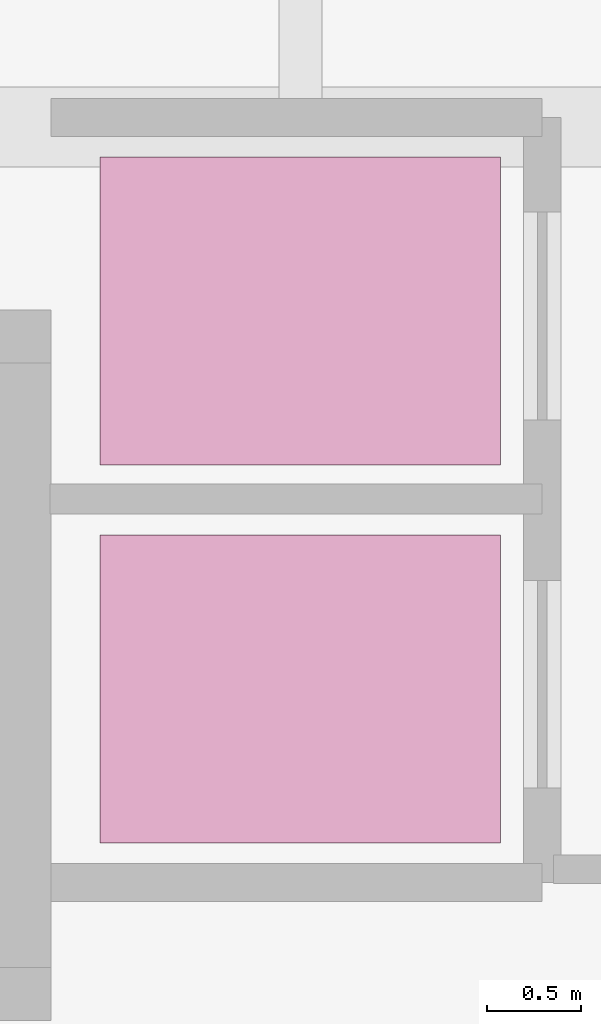
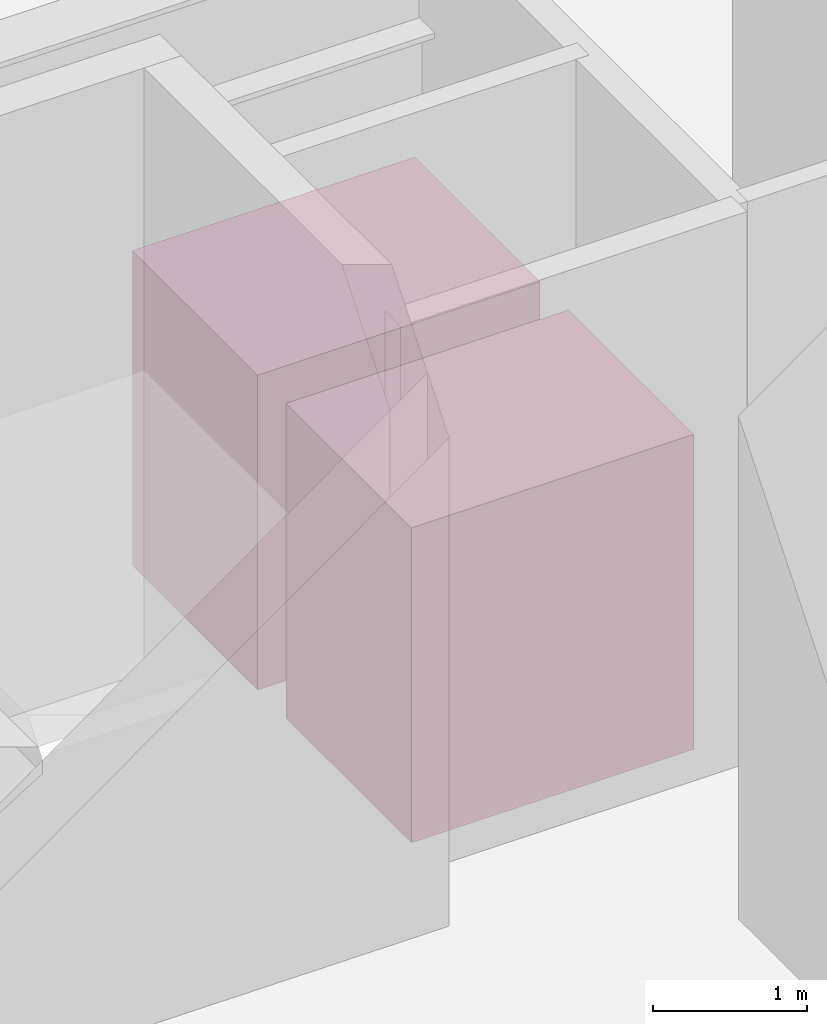
# One storey, part 9 of 9: 2 transport elements.
"""IFC4 building model written with IfcOpenShell, lengths in metres."""

import ifcopenshell
import ifcopenshell.guid

model = None  # the IFC model being written
_history = None  # IfcOwnerHistory: only IFC2X3 demands one
_inside = {}  # id of a spatial element -> (the spatial element, [elements in it])
_under = {}  # id of a project, library or spatial element -> (it, [spatial elements below it])
_declared = {}  # id of a project -> (the project, [libraries it declares])
_typed = {}  # id of a type object -> (the type object, [elements of that type])
_made_of = {}  # id of a material, layer set ... -> (it, [elements and type objects made of it])


def new_model(schema):
    """Start an empty IFC model of exactly this schema.

    Asked for "IFC4X3", IfcOpenShell would pick the latest addendum, in which some entities
    have other attributes; the version numbers below select the first issue.
    IFC2X3 requires an IfcOwnerHistory on every rooted entity: one is made here for all.
    """
    global model, _history
    if schema == "IFC4X3":
        model = ifcopenshell.file(schema_version=(4, 3, 0, 0))
    else:
        model = ifcopenshell.file(schema=schema)
    _inside.clear()
    _under.clear()
    _declared.clear()
    _typed.clear()
    _made_of.clear()
    _history = None
    if model.schema == "IFC2X3":
        org = make("IfcOrganization", Name="unknown")
        user = make(
            "IfcPersonAndOrganization",
            ThePerson=make("IfcPerson", FamilyName="unknown"),
            TheOrganization=org,
        )
        app = make(
            "IfcApplication",
            ApplicationDeveloper=org,
            Version="unknown",
            ApplicationFullName="unknown",
            ApplicationIdentifier="unknown",
        )
        _history = make(
            "IfcOwnerHistory",
            OwningUser=user,
            OwningApplication=app,
            ChangeAction="ADDED",
            CreationDate=0,
        )
    return model


def make(cls, **values):
    """One entity of the class cls with the attributes given. An attribute that is None is left unset."""
    return model.create_entity(
        cls, **{name: value for name, value in values.items() if value is not None}
    )


def rooted(cls, **values):
    """An entity with a GlobalId (a new one), such as an element, a storey or a relation."""
    return make(cls, GlobalId=ifcopenshell.guid.new(), OwnerHistory=_history, **values)


def si_unit(unit_type, name, prefix=None):
    """IfcSIUnit, for example si_unit("LENGTHUNIT", "METRE", prefix="MILLI")."""
    return make("IfcSIUnit", UnitType=unit_type, Prefix=prefix, Name=name)


def assignment(units):
    """IfcUnitAssignment: the units of a project."""
    return None if units is None else make("IfcUnitAssignment", Units=units)


def point(xyz):
    """IfcCartesianPoint."""
    return None if xyz is None else make("IfcCartesianPoint", Coordinates=xyz)


def direction(xyz):
    """IfcDirection."""
    return None if xyz is None else make("IfcDirection", DirectionRatios=xyz)


def frame(location, z_axis=None, x_axis=None):
    """IfcAxis2Placement3D, a coordinate frame: its origin and axes. An axis left out is left unset."""
    return make(
        "IfcAxis2Placement3D",
        Location=point(location),
        Axis=direction(z_axis),
        RefDirection=direction(x_axis),
    )


def frame_2d(location, x_axis=None):
    """IfcAxis2Placement2D, a coordinate frame in the plane: its origin and x axis."""
    return make(
        "IfcAxis2Placement2D", Location=point(location), RefDirection=direction(x_axis)
    )


def origin():
    """The frame at (0, 0, 0) with its axes left unset."""
    return frame((0.0, 0.0, 0.0))


def origin_2d():
    """The frame at (0, 0) in the plane with its x axis left unset."""
    return frame_2d((0.0, 0.0))


def place(relative_to, where):
    """IfcLocalPlacement: puts the frame where relative to a parent placement (None: the world)."""
    return make(
        "IfcLocalPlacement", PlacementRelTo=relative_to, RelativePlacement=where
    )


def context(
    kind, dimensions, precision=None, world=None, true_north=None, identifier=None
):
    """IfcGeometricRepresentationContext, for example the 3D "Model" context."""
    return make(
        "IfcGeometricRepresentationContext",
        ContextIdentifier=identifier,
        ContextType=kind,
        CoordinateSpaceDimension=dimensions,
        Precision=precision,
        WorldCoordinateSystem=world,
        TrueNorth=true_north,
    )


def subcontext(parent, identifier, kind, view, scale=None):
    """IfcGeometricRepresentationSubContext, for example "Body" below "Model"."""
    return make(
        "IfcGeometricRepresentationSubContext",
        ContextIdentifier=identifier,
        ContextType=kind,
        ParentContext=parent,
        TargetScale=scale,
        TargetView=view,
    )


def project(units=None, contexts=None):
    """IfcProject with its units and contexts."""
    return rooted(
        "IfcProject",
        Name="project",
        RepresentationContexts=contexts,
        UnitsInContext=assignment(units),
    )


def spatial(cls, under=None, at=None, **own):
    """A site, building, storey or space (cls), placed at a placement, below another one or the project."""
    s = rooted(cls, ObjectPlacement=at, **own)
    if under is not None:
        _under.setdefault(under.id(), (under, []))[1].append(s)
    return s


def profile(cls, at=None, kind="AREA", **sizes):
    """A parametric profile (cls). Its sizes go by their IFC names, for example OverallWidth=200.0."""
    return make(cls, ProfileType=kind, Position=at, **sizes)


def rectangle(**sizes):
    """IfcRectangleProfileDef."""
    return profile("IfcRectangleProfileDef", **sizes)


def extrude(swept, where, along, depth):
    """IfcExtrudedAreaSolid: the profile swept, set in the frame where, extruded along a direction by depth."""
    return make(
        "IfcExtrudedAreaSolid",
        SweptArea=swept,
        Position=where,
        ExtrudedDirection=direction(along),
        Depth=depth,
    )


def shape(context_of_items, identifier, shape_type, items):
    """IfcShapeRepresentation: the items that make up one representation, for example the "Body"."""
    return make(
        "IfcShapeRepresentation",
        ContextOfItems=context_of_items,
        RepresentationIdentifier=identifier,
        RepresentationType=shape_type,
        Items=items,
    )


def material(Name=None, Category=None):
    """IfcMaterial."""
    return make("IfcMaterial", Name=Name, Category=Category)


def made_of(thing, what):
    """Note that an element or type object is made of a material, layer set ...; save() writes the relation."""
    if what is not None:
        _made_of.setdefault(what.id(), (what, []))[1].append(thing)
    return thing


def type_object(cls, material=None, **own):
    """A type object (cls), such as IfcWallType, which elements share."""
    return made_of(rooted(cls, **own), material)


def element(
    cls,
    number,
    at=None,
    inside=None,
    cuts=None,
    type_object=None,
    material=None,
    context=None,
    identifier="Body",
    shape_type=None,
    held_by="IfcProductDefinitionShape",
    body=None,
    shapes=None,
    **own,
):
    """One element of the class cls, such as IfcWall. Its Tag is "e" and its number.

    at: its placement. inside: the storey or other place that contains it. cuts: it is an
    opening in that element (IfcRelVoidsElement). A single representation is given by context,
    identifier, shape_type and body (its items); several are given by shapes. held_by: the class
    of the entity that holds the representations. save() writes the other relations.
    """
    e = rooted(cls, Tag="e%d" % number, ObjectPlacement=at, **own)
    if body is not None:
        shapes = [shape(context, identifier, shape_type, body)]
    if shapes is not None:
        e.Representation = make(held_by, Representations=shapes)
    if inside is not None:
        _inside.setdefault(inside.id(), (inside, []))[1].append(e)
    if cuts is not None:
        rooted(
            "IfcRelVoidsElement", RelatingBuildingElement=cuts, RelatedOpeningElement=e
        )
    if type_object is not None:
        _typed.setdefault(type_object.id(), (type_object, []))[1].append(e)
    return made_of(e, material)


def aggregate(whole, parts):
    """IfcRelAggregates: a whole, such as a stair, and the parts it consists of."""
    return rooted("IfcRelAggregates", RelatingObject=whole, RelatedObjects=parts)


def save(model, path):
    """Write the relations noted so far, then the file.

    IfcRelAggregates (storeys below a building ...), IfcRelContainedInSpatialStructure (elements
    in a storey), IfcRelDefinesByType, IfcRelAssociatesMaterial and IfcRelDeclares: one each for
    every whole, place, type object, material and project.
    """
    for whole, parts in _under.values():
        aggregate(whole, parts)
    for where, things in _inside.values():
        rooted(
            "IfcRelContainedInSpatialStructure",
            RelatedElements=things,
            RelatingStructure=where,
        )
    for kind, things in _typed.values():
        rooted("IfcRelDefinesByType", RelatedObjects=things, RelatingType=kind)
    for what, things in _made_of.values():
        rooted("IfcRelAssociatesMaterial", RelatedObjects=things, RelatingMaterial=what)
    for by, libraries in _declared.values():
        rooted("IfcRelDeclares", RelatingContext=by, RelatedDefinitions=libraries)
    model.write(path)


model = new_model("IFC4")

# Units and contexts
model_context = context("Model", 3, precision=1e-05, world=origin(), true_north=direction((0.0, 1.0)))
body_context = subcontext(model_context, "Body", "Model", "MODEL_VIEW")
ifc_project = project(units=[si_unit("LENGTHUNIT", "METRE"), si_unit("AREAUNIT", "SQUARE_METRE"), si_unit("VOLUMEUNIT", "CUBIC_METRE"), si_unit("PLANEANGLEUNIT", "RADIAN"), si_unit("MASSUNIT", "GRAM", prefix="KILO"), si_unit("THERMODYNAMICTEMPERATUREUNIT", "KELVIN"), si_unit("POWERUNIT", "WATT")], contexts=[model_context])

# Site, building, storey
site_placement = place(None, origin())
site = spatial("IfcSite", under=ifc_project, at=site_placement, CompositionType="ELEMENT")
building_placement = place(site_placement, origin())
building = spatial("IfcBuilding", under=site, at=building_placement, Name="Skarre Station Tower", CompositionType="ELEMENT")
storey_placement = place(building_placement, frame((0.0, 0.0, -4.800048828125)))
storey = spatial("IfcBuildingStorey", under=building, at=storey_placement, Name="B01", CompositionType="ELEMENT", Elevation=-4.800048828125)

# Transport elements
ifc_material = material(Name="Bronze Anodized Aluminium & Low-Iron Glass Cab", Category="aluminium")
transport_element_type = type_object("IfcTransportElementType", Name="Express Observatory Shuttle Elevator 1800 kg", PredefinedType="ELEVATOR", material=ifc_material)
for number, where, z_axis, x_axis, name in (
    (1, (31.199951171875, 32.97509765625, 0.0), (0.0, 0.0, 1.0), (1.0, 0.0, 0.0), "Observatory Express Shuttle Elevator LF-EX1"),
    (2, (31.199951171875, 34.97509765625, 0.0), (0.0, 0.0, 1.0), (1.0, 0.0, 0.0), "Observatory Express Shuttle Elevator LF-EX2"),
):
    element("IfcTransportElement", number, at=place(storey_placement, frame(where, z_axis=z_axis, x_axis=x_axis)), inside=storey, type_object=transport_element_type, Name=name, PredefinedType="ELEVATOR", context=body_context, shape_type="SweptSolid", body=[
        extrude(rectangle(XDim=2.1201171875, YDim=1.6298828125, at=origin_2d()), origin(), (0.0, 0.0, 1.0), 2.5),
    ])

save(model, "model.ifc")
